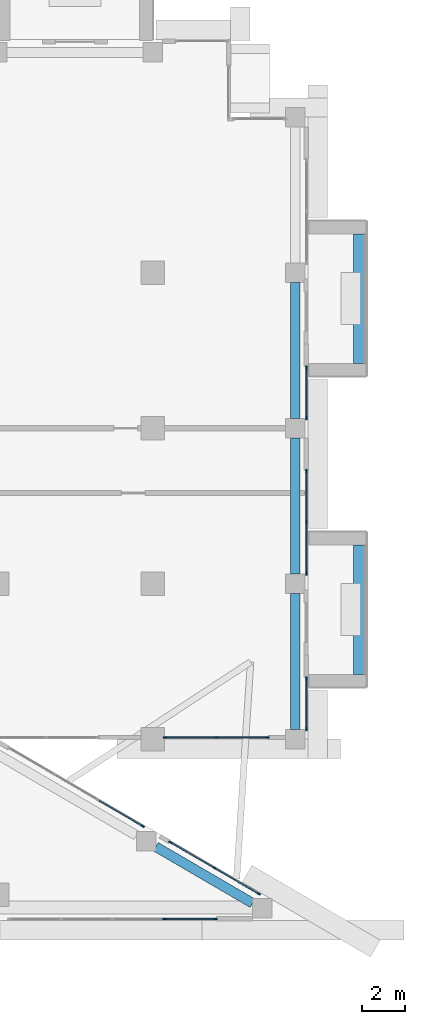
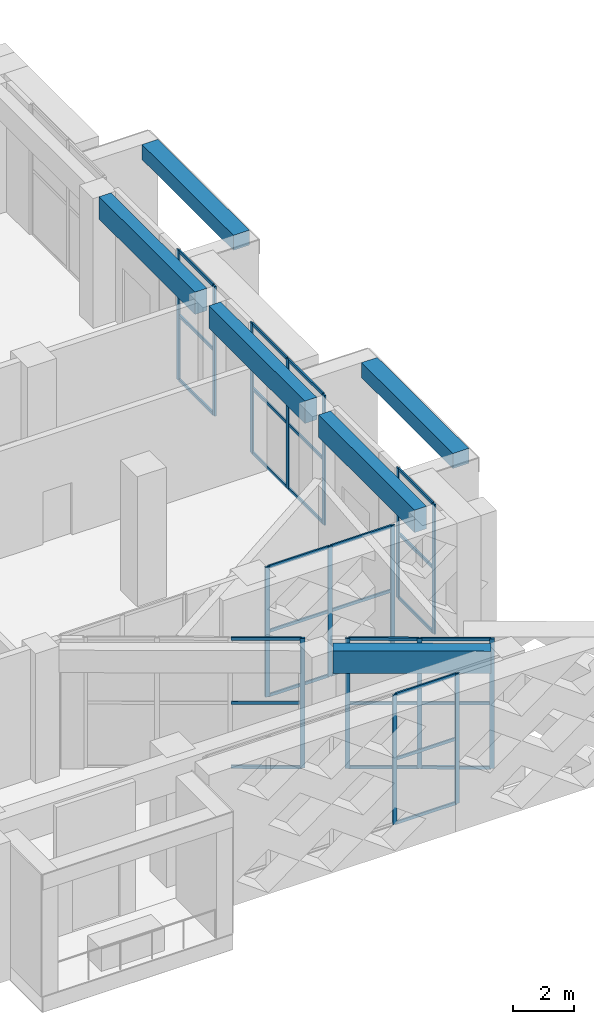
# One storey, part 10 of 25: 46 members, 6 beams, 7 elements without a shape of their own.
"""IFC4 building model written with IfcOpenShell, lengths in metres."""

from ifc_helpers import new_model, si_unit, direction, frame, origin, origin_2d, place, context, subcontext, project, spatial, rectangle, extrude, source, transform, mapped, material, layer, layer_set, material_profile, profile_set, type_object, element, aggregate, save


model = new_model("IFC4")

# Units and contexts
model_context = context("Model", 3, precision=1e-05, world=origin(), true_north=direction((0.0, 1.0)))
body_context = subcontext(model_context, "Body", "Model", "MODEL_VIEW")
ifc_project = project(units=[si_unit("LENGTHUNIT", "METRE"), si_unit("AREAUNIT", "SQUARE_METRE"), si_unit("VOLUMEUNIT", "CUBIC_METRE"), si_unit("PLANEANGLEUNIT", "RADIAN"), si_unit("MASSUNIT", "GRAM", prefix="KILO")], contexts=[model_context])

# Site, building, storey
site_placement = place(None, origin())
site = spatial("IfcSite", under=ifc_project, at=site_placement, CompositionType="ELEMENT")
building_placement = place(site_placement, origin())
building = spatial("IfcBuilding", under=site, at=building_placement, Name="Saffron Iwan Residences", CompositionType="ELEMENT")
storey_placement = place(building_placement, frame((0.0, 0.0, 137.5)))
storey = spatial("IfcBuildingStorey", under=building, at=storey_placement, Name="L36", CompositionType="ELEMENT", Elevation=137.5)

# Beams
ifc_material_1 = material(Name="Concrete C50/60", Category="concrete")
ifc_material_profile_1 = material_profile(ifc_material_1, rectangle(XDim=0.449951171875, YDim=0.89990234375, at=origin_2d()), Name="RC 450x900")
ifc_profile_set_1 = profile_set([ifc_material_profile_1], Name="Concrete C50/60")
beam_type_1 = type_object("IfcBeamType", Name="SPANDREL BEAM RC 450x900 C50/60 TOP 5200", PredefinedType="SPANDREL", material=ifc_profile_set_1)
shared_shape_1 = source(origin(), body_context, "Body", "SweptSolid", [
    extrude(rectangle(XDim=0.449951171875, YDim=0.89990234375, at=origin_2d()), origin(), (0.0, 0.0, 1.0), 5.184814453125),
])
beam_1_placement = place(storey_placement, frame((79.34765625, 43.019287109375, 4.75), z_axis=(0.86377206948, -0.503882736345, 0.0), x_axis=(0.503882736345, 0.86377206948, 0.0)))
element("IfcBeam", 1, at=beam_1_placement, inside=storey, type_object=beam_type_1, Name="Spandrel beam", PredefinedType="SPANDREL", context=body_context, shape_type="MappedRepresentation", body=[
    mapped(shared_shape_1, transform((0.0, 0.0, 0.0))),
])
shared_shape_2 = source(origin(), body_context, "Body", "SweptSolid", [
    extrude(rectangle(XDim=0.449951171875, YDim=0.89990234375, at=origin_2d()), origin(), (0.0, 0.0, 1.0), 6.300048828125),
])
for number, where, z_axis, x_axis, name in (
    (2, (85.800048828125, 54.75, 4.75), (0.0, -1.0, 0.0), (1.0, 0.0, 0.0), "Spandrel beam"),
    (3, (85.800048828125, 61.949951171875, 4.75), (0.0, -1.0, 0.0), (1.0, 0.0, 0.0), "Spandrel beam"),
):
    element("IfcBeam", number, at=place(storey_placement, frame(where, z_axis=z_axis, x_axis=x_axis)), inside=storey, type_object=beam_type_1, Name=name, PredefinedType="SPANDREL", context=body_context, shape_type="MappedRepresentation", body=[
        mapped(shared_shape_2, transform((0.0, 0.0, 0.0))),
    ])
shared_shape_3 = source(origin(), body_context, "Body", "SweptSolid", [
    extrude(rectangle(XDim=0.449951171875, YDim=0.89990234375, at=origin_2d()), origin(), (0.0, 0.0, 1.0), 6.2998046875),
])
beam_2_placement = place(storey_placement, frame((85.800048828125, 69.14990234375, 4.75), z_axis=(0.0, -1.0, 0.0), x_axis=(1.0, 0.0, 0.0)))
element("IfcBeam", 4, at=beam_2_placement, inside=storey, type_object=beam_type_1, Name="Spandrel beam", PredefinedType="SPANDREL", context=body_context, shape_type="MappedRepresentation", body=[
    mapped(shared_shape_3, transform((0.0, 0.0, 0.0))),
])
ifc_material_2 = material(Name="Concrete C50/60 white painted", Category="concrete")
ifc_material_profile_2 = material_profile(ifc_material_2, rectangle(XDim=0.60009765625, YDim=0.60009765625, at=origin_2d()), Name="BALCONY FASCIA BEAM 600 x 600")
ifc_profile_set_2 = profile_set([ifc_material_profile_2], Name="Concrete C50/60 white painted")
beam_type_2 = type_object("IfcBeamType", Name="BALCONY FASCIA BEAM 600 x 600", PredefinedType="BEAM", material=ifc_profile_set_2)
shared_shape_4 = source(origin(), body_context, "Body", "SweptSolid", [
    extrude(rectangle(XDim=0.60009765625, YDim=0.60009765625, at=origin_2d()), origin(), (0.0, 0.0, 1.0), 6.0),
])
for number, where, z_axis, x_axis, name in (
    (5, (88.800048828125, 51.0, 4.60009765625), (0.0, 1.0, 0.0), (-1.0, 0.0, 0.0), "Balcony fascia beam L36 F2-0"),
    (6, (88.800048828125, 65.39990234375, 4.60009765625), (0.0, 1.0, 0.0), (-1.0, 0.0, 0.0), "Balcony fascia beam L36 F2-1"),
):
    element("IfcBeam", number, at=place(storey_placement, frame(where, z_axis=z_axis, x_axis=x_axis)), inside=storey, type_object=beam_type_2, Name=name, PredefinedType="BEAM", context=body_context, shape_type="MappedRepresentation", body=[
        mapped(shared_shape_4, transform((0.0, 0.0, 0.0))),
    ])

# Curtain wall, members
ifc_material_3 = material(Name="Clear glass, laminated double glazed", Category="glass")
ifc_layer = layer(ifc_material_3, 0.14990234375)
ifc_layer_set = layer_set([ifc_layer], Name="Clear glass, laminated double glazed")
curtain_wall_type = type_object("IfcCurtainWallType", Name="CW-C SKY LOBBY GLAZING", PredefinedType="NOTDEFINED", material=ifc_layer_set)
curtain_wall_1_placement = place(storey_placement, origin())
curtain_wall_1 = element("IfcCurtainWall", 7, at=curtain_wall_1_placement, inside=storey, type_object=curtain_wall_type, Name="Glazing L36 F0.1", PredefinedType="NOTDEFINED")
ifc_material_4 = material(Name="Aluminium 6063-T6", Category="aluminium")
ifc_material_profile_3 = material_profile(ifc_material_4, rectangle(XDim=0.06005859375, YDim=0.159912109375, at=origin_2d()), Name="CW-C MULLION 60 x 160")
ifc_profile_set_3 = profile_set([ifc_material_profile_3], Name="Aluminium 6063-T6")
member_type_1 = type_object("IfcMemberType", Name="CW-C MULLION 60 x 160", PredefinedType="MULLION", material=ifc_profile_set_3)
shared_shape_5 = source(origin(), body_context, "Body", "SweptSolid", [
    extrude(rectangle(XDim=0.06005859375, YDim=0.159912109375, at=origin_2d()), origin(), (0.0, 0.0, 1.0), 5.199951171875),
])
member_1_placement = place(storey_placement, frame((84.110595703125, 40.8427734375, 0.0), z_axis=(0.0, 0.0, 1.0), x_axis=(-0.503871025622, -0.863778900842, 0.0)))
member_1 = element("IfcMember", 8, at=member_1_placement, type_object=member_type_1, Name="CW-C mullion 1", PredefinedType="MULLION", context=body_context, shape_type="MappedRepresentation", body=[
    mapped(shared_shape_5, transform((0.0, 0.0, 0.0))),
])
member_2_placement = place(storey_placement, frame((82.0634765625, 42.037109375, 0.0), z_axis=(0.0, 0.0, 1.0), x_axis=(-0.503871025622, -0.863778900842, 0.0)))
member_2 = element("IfcMember", 9, at=member_2_placement, type_object=member_type_1, Name="CW-C mullion 2", PredefinedType="MULLION", context=body_context, shape_type="MappedRepresentation", body=[
    mapped(shared_shape_5, transform((0.0, 0.0, 0.0))),
])
member_3_placement = place(storey_placement, frame((80.016357421875, 43.231201171875, 0.0), z_axis=(0.0, 0.0, 1.0), x_axis=(-0.503871025622, -0.863778900842, 0.0)))
member_3 = element("IfcMember", 10, at=member_3_placement, type_object=member_type_1, Name="CW-C mullion 3", PredefinedType="MULLION", context=body_context, shape_type="MappedRepresentation", body=[
    mapped(shared_shape_5, transform((0.0, 0.0, 0.0))),
])

# Curtain wall, member
curtain_wall_2_placement = place(storey_placement, origin())
curtain_wall_2 = element("IfcCurtainWall", 11, at=curtain_wall_2_placement, inside=storey, type_object=curtain_wall_type, Name="Glazing L36 F0.2", PredefinedType="NOTDEFINED")
member_4_placement = place(storey_placement, frame((78.7451171875, 43.97265625, 0.0), z_axis=(0.0, 0.0, 1.0), x_axis=(-0.503871025471, -0.863778900929, 0.0)))
member_4 = element("IfcMember", 12, at=member_4_placement, type_object=member_type_1, Name="CW-C mullion 1", PredefinedType="MULLION", context=body_context, shape_type="MappedRepresentation", body=[
    mapped(shared_shape_5, transform((0.0, 0.0, 0.0))),
])

# Curtain wall, members
curtain_wall_3_placement = place(storey_placement, origin())
curtain_wall_3 = element("IfcCurtainWall", 13, at=curtain_wall_3_placement, inside=storey, type_object=curtain_wall_type, Name="Glazing L36 F1.1", PredefinedType="NOTDEFINED")
member_5_placement = place(storey_placement, frame((79.780029296875, 48.080078125, 0.0), z_axis=(0.0, 0.0, 1.0), x_axis=(0.0, 1.0, 0.0)))
member_5 = element("IfcMember", 14, at=member_5_placement, type_object=member_type_1, Name="CW-C mullion 1", PredefinedType="MULLION", context=body_context, shape_type="MappedRepresentation", body=[
    mapped(shared_shape_5, transform((0.0, 0.0, 0.0))),
])
member_6_placement = place(storey_placement, frame((82.14990234375, 48.080078125, 0.0), z_axis=(0.0, 0.0, 1.0), x_axis=(0.0, 1.0, 0.0)))
member_6 = element("IfcMember", 15, at=member_6_placement, type_object=member_type_1, Name="CW-C mullion 2", PredefinedType="MULLION", context=body_context, shape_type="MappedRepresentation", body=[
    mapped(shared_shape_5, transform((0.0, 0.0, 0.0))),
])
member_7_placement = place(storey_placement, frame((84.52001953125, 48.080078125, 0.0), z_axis=(0.0, 0.0, 1.0), x_axis=(0.0, 1.0, 0.0)))
member_7 = element("IfcMember", 16, at=member_7_placement, type_object=member_type_1, Name="CW-C mullion 3", PredefinedType="MULLION", context=body_context, shape_type="MappedRepresentation", body=[
    mapped(shared_shape_5, transform((0.0, 0.0, 0.0))),
])

curtain_wall_4_placement = place(storey_placement, origin())
curtain_wall_4 = element("IfcCurtainWall", 17, at=curtain_wall_4_placement, inside=storey, type_object=curtain_wall_type, Name="Glazing L36 F2.0", PredefinedType="NOTDEFINED")
member_8_placement = place(storey_placement, frame((86.320068359375, 48.47998046875, 0.0), z_axis=(0.0, 0.0, 1.0), x_axis=(-1.0, 0.0, 0.0)))
member_8 = element("IfcMember", 18, at=member_8_placement, type_object=member_type_1, Name="CW-C mullion 1", PredefinedType="MULLION", context=body_context, shape_type="MappedRepresentation", body=[
    mapped(shared_shape_5, transform((0.0, 0.0, 0.0))),
])
member_9_placement = place(storey_placement, frame((86.320068359375, 50.820068359375, 0.0), z_axis=(0.0, 0.0, 1.0), x_axis=(-1.0, 0.0, 0.0)))
member_9 = element("IfcMember", 19, at=member_9_placement, type_object=member_type_1, Name="CW-C mullion 2", PredefinedType="MULLION", context=body_context, shape_type="MappedRepresentation", body=[
    mapped(shared_shape_5, transform((0.0, 0.0, 0.0))),
])

curtain_wall_5_placement = place(storey_placement, origin())
curtain_wall_5 = element("IfcCurtainWall", 20, at=curtain_wall_5_placement, inside=storey, type_object=curtain_wall_type, Name="Glazing L36 F2.1", PredefinedType="NOTDEFINED")
member_10_placement = place(storey_placement, frame((86.320068359375, 55.679931640625, 0.0), z_axis=(0.0, 0.0, 1.0), x_axis=(-1.0, 0.0, 0.0)))
member_10 = element("IfcMember", 21, at=member_10_placement, type_object=member_type_1, Name="CW-C mullion 1", PredefinedType="MULLION", context=body_context, shape_type="MappedRepresentation", body=[
    mapped(shared_shape_5, transform((0.0, 0.0, 0.0))),
])
member_11_placement = place(storey_placement, frame((86.320068359375, 58.050048828125, 0.0), z_axis=(0.0, 0.0, 1.0), x_axis=(-1.0, 0.0, 0.0)))
member_11 = element("IfcMember", 22, at=member_11_placement, type_object=member_type_1, Name="CW-C mullion 2", PredefinedType="MULLION", context=body_context, shape_type="MappedRepresentation", body=[
    mapped(shared_shape_5, transform((0.0, 0.0, 0.0))),
])
member_12_placement = place(storey_placement, frame((86.320068359375, 60.419921875, 0.0), z_axis=(0.0, 0.0, 1.0), x_axis=(-1.0, 0.0, 0.0)))
member_12 = element("IfcMember", 23, at=member_12_placement, type_object=member_type_1, Name="CW-C mullion 3", PredefinedType="MULLION", context=body_context, shape_type="MappedRepresentation", body=[
    mapped(shared_shape_5, transform((0.0, 0.0, 0.0))),
])

curtain_wall_6_placement = place(storey_placement, origin())
curtain_wall_6 = element("IfcCurtainWall", 24, at=curtain_wall_6_placement, inside=storey, type_object=curtain_wall_type, Name="Glazing L36 F2.2", PredefinedType="NOTDEFINED")
member_13_placement = place(storey_placement, frame((86.320068359375, 62.8798828125, 0.0), z_axis=(0.0, 0.0, 1.0), x_axis=(-1.0, 0.0, 0.0)))
member_13 = element("IfcMember", 25, at=member_13_placement, type_object=member_type_1, Name="CW-C mullion 1", PredefinedType="MULLION", context=body_context, shape_type="MappedRepresentation", body=[
    mapped(shared_shape_5, transform((0.0, 0.0, 0.0))),
])
member_14_placement = place(storey_placement, frame((86.320068359375, 65.219970703125, 0.0), z_axis=(0.0, 0.0, 1.0), x_axis=(-1.0, 0.0, 0.0)))
member_14 = element("IfcMember", 26, at=member_14_placement, type_object=member_type_1, Name="CW-C mullion 2", PredefinedType="MULLION", context=body_context, shape_type="MappedRepresentation", body=[
    mapped(shared_shape_5, transform((0.0, 0.0, 0.0))),
])

curtain_wall_7_placement = place(storey_placement, origin())
curtain_wall_7 = element("IfcCurtainWall", 27, at=curtain_wall_7_placement, inside=storey, type_object=curtain_wall_type, Name="Glazing L36 F11.8", PredefinedType="NOTDEFINED")
member_15_placement = place(storey_placement, frame((79.75, 39.679931640625, 0.0), z_axis=(0.0, 0.0, 1.0), x_axis=(0.0, 1.0, 0.0)))
member_15 = element("IfcMember", 28, at=member_15_placement, type_object=member_type_1, Name="CW-C mullion 4", PredefinedType="MULLION", context=body_context, shape_type="MappedRepresentation", body=[
    mapped(shared_shape_5, transform((0.0, 0.0, 0.0))),
])
member_16_placement = place(storey_placement, frame((82.1201171875, 39.679931640625, 0.0), z_axis=(0.0, 0.0, 1.0), x_axis=(0.0, 1.0, 0.0)))
member_16 = element("IfcMember", 29, at=member_16_placement, type_object=member_type_1, Name="CW-C mullion 5", PredefinedType="MULLION", context=body_context, shape_type="MappedRepresentation", body=[
    mapped(shared_shape_5, transform((0.0, 0.0, 0.0))),
])

# Member
ifc_material_profile_4 = material_profile(ifc_material_4, rectangle(XDim=0.06005859375, YDim=0.1201171875, at=origin_2d()), Name="CW-C TRANSOM 60 x 120")
ifc_profile_set_4 = profile_set([ifc_material_profile_4], Name="Aluminium 6063-T6")
member_type_2 = type_object("IfcMemberType", Name="CW-C TRANSOM 60 x 120", PredefinedType="USERDEFINED", material=ifc_profile_set_4)
shared_shape_6 = source(origin(), body_context, "Body", "SweptSolid", [
    extrude(rectangle(XDim=0.06005859375, YDim=0.1201171875, at=origin_2d()), origin(), (0.0, 0.0, 1.0), 2.31005859375),
])
member_17_placement = place(storey_placement, frame((84.084716796875, 40.85791015625, 0.030029296875), z_axis=(-0.863759734684, 0.503903880457, 0.0), x_axis=(-0.503903880457, -0.863759734684, 0.0)))
member_17 = element("IfcMember", 30, at=member_17_placement, type_object=member_type_2, Name="CW-C transom 1.1", ObjectType="TRANSOM", PredefinedType="USERDEFINED", context=body_context, shape_type="MappedRepresentation", body=[
    mapped(shared_shape_6, transform((0.0, 0.0, 0.0))),
])

member_18_placement = place(storey_placement, frame((84.084716796875, 40.85791015625, 2.60009765625), z_axis=(-0.863759734684, 0.503903880457, 0.0), x_axis=(-0.503903880457, -0.863759734684, 0.0)))
member_18 = element("IfcMember", 31, at=member_18_placement, type_object=member_type_2, Name="CW-C transom 1.2", ObjectType="TRANSOM", PredefinedType="USERDEFINED", context=body_context, shape_type="MappedRepresentation", body=[
    mapped(shared_shape_6, transform((0.0, 0.0, 0.0))),
])

member_19_placement = place(storey_placement, frame((84.084716796875, 40.85791015625, 5.169921875), z_axis=(-0.863759734684, 0.503903880457, 0.0), x_axis=(-0.503903880457, -0.863759734684, 0.0)))
member_19 = element("IfcMember", 32, at=member_19_placement, type_object=member_type_2, Name="CW-C transom 1.3", ObjectType="TRANSOM", PredefinedType="USERDEFINED", context=body_context, shape_type="MappedRepresentation", body=[
    mapped(shared_shape_6, transform((0.0, 0.0, 0.0))),
])

member_20_placement = place(storey_placement, frame((82.03759765625, 42.05224609375, 0.030029296875), z_axis=(-0.863805732928, 0.503825024944, 0.0), x_axis=(-0.503825024944, -0.863805732928, 0.0)))
member_20 = element("IfcMember", 33, at=member_20_placement, type_object=member_type_2, Name="CW-C transom 2.1", ObjectType="TRANSOM", PredefinedType="USERDEFINED", context=body_context, shape_type="MappedRepresentation", body=[
    mapped(shared_shape_6, transform((0.0, 0.0, 0.0))),
])

member_21_placement = place(storey_placement, frame((82.03759765625, 42.05224609375, 2.60009765625), z_axis=(-0.863805732928, 0.503825024944, 0.0), x_axis=(-0.503825024944, -0.863805732928, 0.0)))
member_21 = element("IfcMember", 34, at=member_21_placement, type_object=member_type_2, Name="CW-C transom 2.2", ObjectType="TRANSOM", PredefinedType="USERDEFINED", context=body_context, shape_type="MappedRepresentation", body=[
    mapped(shared_shape_6, transform((0.0, 0.0, 0.0))),
])

member_22_placement = place(storey_placement, frame((82.03759765625, 42.05224609375, 5.169921875), z_axis=(-0.863805732928, 0.503825024944, 0.0), x_axis=(-0.503825024944, -0.863805732928, 0.0)))
member_22 = element("IfcMember", 35, at=member_22_placement, type_object=member_type_2, Name="CW-C transom 2.3", ObjectType="TRANSOM", PredefinedType="USERDEFINED", context=body_context, shape_type="MappedRepresentation", body=[
    mapped(shared_shape_6, transform((0.0, 0.0, 0.0))),
])

aggregate(curtain_wall_1, [member_1, member_2, member_3, member_17, member_18, member_19, member_20, member_21, member_22])

member_23_placement = place(storey_placement, frame((78.71923828125, 43.98779296875, 0.030029296875), z_axis=(-0.863759734684, 0.503903880457, 0.0), x_axis=(-0.503903880457, -0.863759734684, 0.0)))
member_23 = element("IfcMember", 36, at=member_23_placement, type_object=member_type_2, Name="CW-C transom 1.1", ObjectType="TRANSOM", PredefinedType="USERDEFINED", context=body_context, shape_type="MappedRepresentation", body=[
    mapped(shared_shape_6, transform((0.0, 0.0, 0.0))),
])

member_24_placement = place(storey_placement, frame((78.71923828125, 43.98779296875, 2.60009765625), z_axis=(-0.863759734684, 0.503903880457, 0.0), x_axis=(-0.503903880457, -0.863759734684, 0.0)))
member_24 = element("IfcMember", 37, at=member_24_placement, type_object=member_type_2, Name="CW-C transom 1.2", ObjectType="TRANSOM", PredefinedType="USERDEFINED", context=body_context, shape_type="MappedRepresentation", body=[
    mapped(shared_shape_6, transform((0.0, 0.0, 0.0))),
])

member_25_placement = place(storey_placement, frame((78.71923828125, 43.98779296875, 5.169921875), z_axis=(-0.863759734684, 0.503903880457, 0.0), x_axis=(-0.503903880457, -0.863759734684, 0.0)))
member_25 = element("IfcMember", 38, at=member_25_placement, type_object=member_type_2, Name="CW-C transom 1.3", ObjectType="TRANSOM", PredefinedType="USERDEFINED", context=body_context, shape_type="MappedRepresentation", body=[
    mapped(shared_shape_6, transform((0.0, 0.0, 0.0))),
])

aggregate(curtain_wall_2, [member_4, member_23, member_24, member_25])

member_26_placement = place(storey_placement, frame((79.81005859375, 48.080078125, 0.030029296875), z_axis=(1.0, 0.0, 0.0), x_axis=(0.0, 1.0, 0.0)))
member_26 = element("IfcMember", 39, at=member_26_placement, type_object=member_type_2, Name="CW-C transom 1.1", ObjectType="TRANSOM", PredefinedType="USERDEFINED", context=body_context, shape_type="MappedRepresentation", body=[
    mapped(shared_shape_6, transform((0.0, 0.0, 0.0))),
])

member_27_placement = place(storey_placement, frame((79.81005859375, 48.080078125, 2.60009765625), z_axis=(1.0, 0.0, 0.0), x_axis=(0.0, 1.0, 0.0)))
member_27 = element("IfcMember", 40, at=member_27_placement, type_object=member_type_2, Name="CW-C transom 1.2", ObjectType="TRANSOM", PredefinedType="USERDEFINED", context=body_context, shape_type="MappedRepresentation", body=[
    mapped(shared_shape_6, transform((0.0, 0.0, 0.0))),
])

member_28_placement = place(storey_placement, frame((79.81005859375, 48.080078125, 5.169921875), z_axis=(1.0, 0.0, 0.0), x_axis=(0.0, 1.0, 0.0)))
member_28 = element("IfcMember", 41, at=member_28_placement, type_object=member_type_2, Name="CW-C transom 1.3", ObjectType="TRANSOM", PredefinedType="USERDEFINED", context=body_context, shape_type="MappedRepresentation", body=[
    mapped(shared_shape_6, transform((0.0, 0.0, 0.0))),
])

member_29_placement = place(storey_placement, frame((82.179931640625, 48.080078125, 0.030029296875), z_axis=(1.0, 0.0, 0.0), x_axis=(0.0, 1.0, 0.0)))
member_29 = element("IfcMember", 42, at=member_29_placement, type_object=member_type_2, Name="CW-C transom 2.1", ObjectType="TRANSOM", PredefinedType="USERDEFINED", context=body_context, shape_type="MappedRepresentation", body=[
    mapped(shared_shape_6, transform((0.0, 0.0, 0.0))),
])

member_30_placement = place(storey_placement, frame((82.179931640625, 48.080078125, 2.60009765625), z_axis=(1.0, 0.0, 0.0), x_axis=(0.0, 1.0, 0.0)))
member_30 = element("IfcMember", 43, at=member_30_placement, type_object=member_type_2, Name="CW-C transom 2.2", ObjectType="TRANSOM", PredefinedType="USERDEFINED", context=body_context, shape_type="MappedRepresentation", body=[
    mapped(shared_shape_6, transform((0.0, 0.0, 0.0))),
])

member_31_placement = place(storey_placement, frame((82.179931640625, 48.080078125, 5.169921875), z_axis=(1.0, 0.0, 0.0), x_axis=(0.0, 1.0, 0.0)))
member_31 = element("IfcMember", 44, at=member_31_placement, type_object=member_type_2, Name="CW-C transom 2.3", ObjectType="TRANSOM", PredefinedType="USERDEFINED", context=body_context, shape_type="MappedRepresentation", body=[
    mapped(shared_shape_6, transform((0.0, 0.0, 0.0))),
])

aggregate(curtain_wall_3, [member_5, member_6, member_7, member_26, member_27, member_28, member_29, member_30, member_31])

member_32_placement = place(storey_placement, frame((86.320068359375, 55.7099609375, 0.030029296875), z_axis=(0.0, 1.0, 0.0), x_axis=(-1.0, 0.0, 0.0)))
member_32 = element("IfcMember", 45, at=member_32_placement, type_object=member_type_2, Name="CW-C transom 1.1", ObjectType="TRANSOM", PredefinedType="USERDEFINED", context=body_context, shape_type="MappedRepresentation", body=[
    mapped(shared_shape_6, transform((0.0, 0.0, 0.0))),
])

member_33_placement = place(storey_placement, frame((86.320068359375, 55.7099609375, 2.60009765625), z_axis=(0.0, 1.0, 0.0), x_axis=(-1.0, 0.0, 0.0)))
member_33 = element("IfcMember", 46, at=member_33_placement, type_object=member_type_2, Name="CW-C transom 1.2", ObjectType="TRANSOM", PredefinedType="USERDEFINED", context=body_context, shape_type="MappedRepresentation", body=[
    mapped(shared_shape_6, transform((0.0, 0.0, 0.0))),
])

member_34_placement = place(storey_placement, frame((86.320068359375, 55.7099609375, 5.169921875), z_axis=(0.0, 1.0, 0.0), x_axis=(-1.0, 0.0, 0.0)))
member_34 = element("IfcMember", 47, at=member_34_placement, type_object=member_type_2, Name="CW-C transom 1.3", ObjectType="TRANSOM", PredefinedType="USERDEFINED", context=body_context, shape_type="MappedRepresentation", body=[
    mapped(shared_shape_6, transform((0.0, 0.0, 0.0))),
])

member_35_placement = place(storey_placement, frame((79.780029296875, 39.679931640625, 0.030029296875), z_axis=(1.0, 0.0, 0.0), x_axis=(0.0, 1.0, 0.0)))
member_35 = element("IfcMember", 48, at=member_35_placement, type_object=member_type_2, Name="CW-C transom 4.1", ObjectType="TRANSOM", PredefinedType="USERDEFINED", context=body_context, shape_type="MappedRepresentation", body=[
    mapped(shared_shape_6, transform((0.0, 0.0, 0.0))),
])

member_36_placement = place(storey_placement, frame((79.780029296875, 39.679931640625, 2.60009765625), z_axis=(1.0, 0.0, 0.0), x_axis=(0.0, 1.0, 0.0)))
member_36 = element("IfcMember", 49, at=member_36_placement, type_object=member_type_2, Name="CW-C transom 4.2", ObjectType="TRANSOM", PredefinedType="USERDEFINED", context=body_context, shape_type="MappedRepresentation", body=[
    mapped(shared_shape_6, transform((0.0, 0.0, 0.0))),
])

member_37_placement = place(storey_placement, frame((79.780029296875, 39.679931640625, 5.169921875), z_axis=(1.0, 0.0, 0.0), x_axis=(0.0, 1.0, 0.0)))
member_37 = element("IfcMember", 50, at=member_37_placement, type_object=member_type_2, Name="CW-C transom 4.3", ObjectType="TRANSOM", PredefinedType="USERDEFINED", context=body_context, shape_type="MappedRepresentation", body=[
    mapped(shared_shape_6, transform((0.0, 0.0, 0.0))),
])

aggregate(curtain_wall_7, [member_15, member_16, member_35, member_36, member_37])

shared_shape_7 = source(origin(), body_context, "Body", "SweptSolid", [
    extrude(rectangle(XDim=0.06005859375, YDim=0.1201171875, at=origin_2d()), origin(), (0.0, 0.0, 1.0), 2.309814453125),
])
member_38_placement = place(storey_placement, frame((86.320068359375, 58.080078125, 0.030029296875), z_axis=(0.0, 1.0, 0.0), x_axis=(-1.0, 0.0, 0.0)))
member_38 = element("IfcMember", 51, at=member_38_placement, type_object=member_type_2, Name="CW-C transom 2.1", ObjectType="TRANSOM", PredefinedType="USERDEFINED", context=body_context, shape_type="MappedRepresentation", body=[
    mapped(shared_shape_7, transform((0.0, 0.0, 0.0))),
])

member_39_placement = place(storey_placement, frame((86.320068359375, 58.080078125, 2.60009765625), z_axis=(0.0, 1.0, 0.0), x_axis=(-1.0, 0.0, 0.0)))
member_39 = element("IfcMember", 52, at=member_39_placement, type_object=member_type_2, Name="CW-C transom 2.2", ObjectType="TRANSOM", PredefinedType="USERDEFINED", context=body_context, shape_type="MappedRepresentation", body=[
    mapped(shared_shape_7, transform((0.0, 0.0, 0.0))),
])

member_40_placement = place(storey_placement, frame((86.320068359375, 58.080078125, 5.169921875), z_axis=(0.0, 1.0, 0.0), x_axis=(-1.0, 0.0, 0.0)))
member_40 = element("IfcMember", 53, at=member_40_placement, type_object=member_type_2, Name="CW-C transom 2.3", ObjectType="TRANSOM", PredefinedType="USERDEFINED", context=body_context, shape_type="MappedRepresentation", body=[
    mapped(shared_shape_7, transform((0.0, 0.0, 0.0))),
])

aggregate(curtain_wall_5, [member_10, member_11, member_12, member_32, member_33, member_34, member_38, member_39, member_40])

shared_shape_8 = source(origin(), body_context, "Body", "SweptSolid", [
    extrude(rectangle(XDim=0.06005859375, YDim=0.1201171875, at=origin_2d()), origin(), (0.0, 0.0, 1.0), 2.280029296875),
])
member_41_placement = place(storey_placement, frame((86.320068359375, 48.510009765625, 0.030029296875), z_axis=(0.0, 1.0, 0.0), x_axis=(-1.0, 0.0, 0.0)))
member_41 = element("IfcMember", 54, at=member_41_placement, type_object=member_type_2, Name="CW-C transom 1.1", ObjectType="TRANSOM", PredefinedType="USERDEFINED", context=body_context, shape_type="MappedRepresentation", body=[
    mapped(shared_shape_8, transform((0.0, 0.0, 0.0))),
])

member_42_placement = place(storey_placement, frame((86.320068359375, 48.510009765625, 2.60009765625), z_axis=(0.0, 1.0, 0.0), x_axis=(-1.0, 0.0, 0.0)))
member_42 = element("IfcMember", 55, at=member_42_placement, type_object=member_type_2, Name="CW-C transom 1.2", ObjectType="TRANSOM", PredefinedType="USERDEFINED", context=body_context, shape_type="MappedRepresentation", body=[
    mapped(shared_shape_8, transform((0.0, 0.0, 0.0))),
])

member_43_placement = place(storey_placement, frame((86.320068359375, 48.510009765625, 5.169921875), z_axis=(0.0, 1.0, 0.0), x_axis=(-1.0, 0.0, 0.0)))
member_43 = element("IfcMember", 56, at=member_43_placement, type_object=member_type_2, Name="CW-C transom 1.3", ObjectType="TRANSOM", PredefinedType="USERDEFINED", context=body_context, shape_type="MappedRepresentation", body=[
    mapped(shared_shape_8, transform((0.0, 0.0, 0.0))),
])

aggregate(curtain_wall_4, [member_8, member_9, member_41, member_42, member_43])

member_44_placement = place(storey_placement, frame((86.320068359375, 62.909912109375, 0.030029296875), z_axis=(0.0, 1.0, 0.0), x_axis=(-1.0, 0.0, 0.0)))
member_44 = element("IfcMember", 57, at=member_44_placement, type_object=member_type_2, Name="CW-C transom 1.1", ObjectType="TRANSOM", PredefinedType="USERDEFINED", context=body_context, shape_type="MappedRepresentation", body=[
    mapped(shared_shape_8, transform((0.0, 0.0, 0.0))),
])

member_45_placement = place(storey_placement, frame((86.320068359375, 62.909912109375, 2.60009765625), z_axis=(0.0, 1.0, 0.0), x_axis=(-1.0, 0.0, 0.0)))
member_45 = element("IfcMember", 58, at=member_45_placement, type_object=member_type_2, Name="CW-C transom 1.2", ObjectType="TRANSOM", PredefinedType="USERDEFINED", context=body_context, shape_type="MappedRepresentation", body=[
    mapped(shared_shape_8, transform((0.0, 0.0, 0.0))),
])

member_46_placement = place(storey_placement, frame((86.320068359375, 62.909912109375, 5.169921875), z_axis=(0.0, 1.0, 0.0), x_axis=(-1.0, 0.0, 0.0)))
member_46 = element("IfcMember", 59, at=member_46_placement, type_object=member_type_2, Name="CW-C transom 1.3", ObjectType="TRANSOM", PredefinedType="USERDEFINED", context=body_context, shape_type="MappedRepresentation", body=[
    mapped(shared_shape_8, transform((0.0, 0.0, 0.0))),
])

aggregate(curtain_wall_6, [member_13, member_14, member_44, member_45, member_46])

save(model, "model.ifc")
